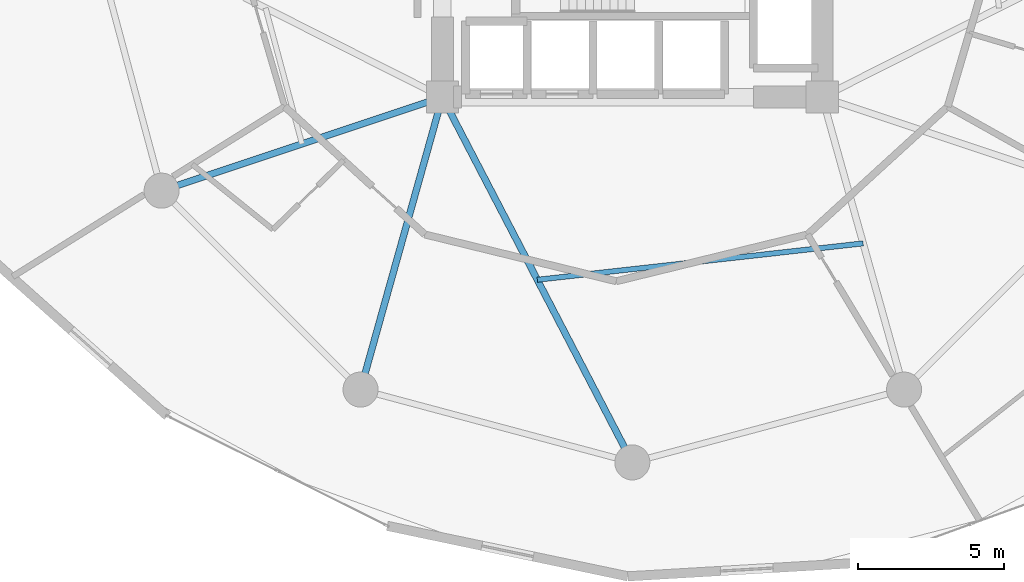
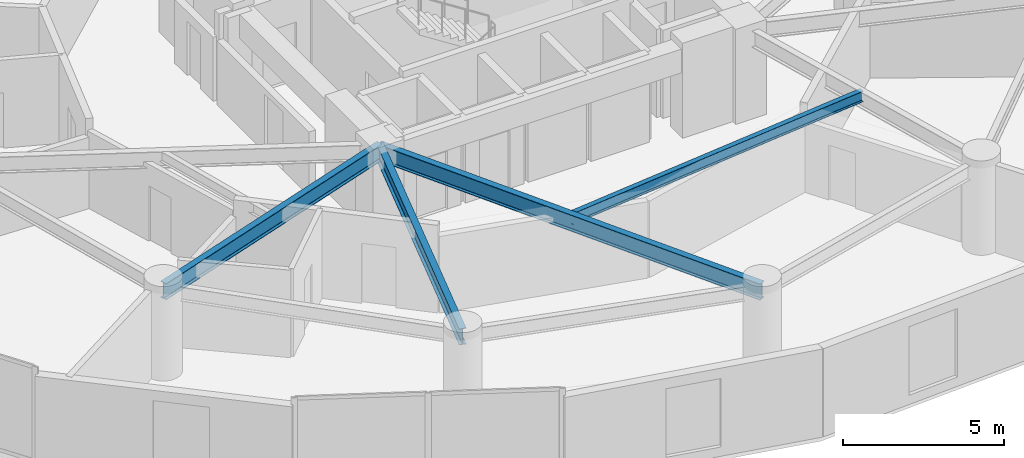
# One storey, part 5 of 26: 4 beams.
"""IFC4 building model written with IfcOpenShell, lengths in metres."""

from ifc_helpers import new_model, si_unit, direction, frame, origin, origin_2d, place, context, subcontext, project, spatial, i_section, extrude, material, material_profile, profile_set, type_object, element, save


model = new_model("IFC4")

# Units and contexts
model_context = context("Model", 3, precision=1e-05, world=origin(), true_north=direction((0.0, 1.0)))
body_context = subcontext(model_context, "Body", "Model", "MODEL_VIEW")
ifc_project = project(units=[si_unit("LENGTHUNIT", "METRE"), si_unit("AREAUNIT", "SQUARE_METRE"), si_unit("VOLUMEUNIT", "CUBIC_METRE"), si_unit("PLANEANGLEUNIT", "RADIAN"), si_unit("MASSUNIT", "GRAM", prefix="KILO")], contexts=[model_context])

# Site, building, storey
site_placement = place(None, origin())
site = spatial("IfcSite", under=ifc_project, at=site_placement, CompositionType="ELEMENT")
building_placement = place(site_placement, origin())
building = spatial("IfcBuilding", under=site, at=building_placement, Name="Solvirekh Grand Hotel", CompositionType="ELEMENT")
storey_placement = place(building_placement, frame((0.0, 0.0, 71.60009765625)))
storey = spatial("IfcBuildingStorey", under=building, at=storey_placement, Name="L17", CompositionType="ELEMENT", Elevation=71.60009765625)

# Beams
ifc_material = material(Name="Steel S355", Category="steel")
ifc_material_profile_1 = material_profile(ifc_material, i_section(OverallWidth=0.22802734375, OverallDepth=0.616943359375, WebThickness=0.012939453125, FlangeThickness=0.02001953125, FilletRadius=0.014892578125, at=origin_2d()), Name="W610X140")
ifc_profile_set_1 = profile_set([ifc_material_profile_1], Name="Steel S355")
beam_type_1 = type_object("IfcBeamType", Name="Beam_Radial_W610", PredefinedType="BEAM", material=ifc_profile_set_1)
beam_1_placement = place(storey_placement, frame((-6.5, -6.10009765625, 3.031982421875), z_axis=(-0.948762825819, -0.315989082635, 0.0), x_axis=(0.315989082635, -0.948762825819, 0.0)))
element("IfcBeam", 1, at=beam_1_placement, inside=storey, type_object=beam_type_1, Name="L17 radial floor beam R08", PredefinedType="BEAM", context=body_context, shape_type="SweptSolid", body=[
    extrude(i_section(OverallWidth=0.22802734375, OverallDepth=0.616943359375, WebThickness=0.012939453125, FlangeThickness=0.02001953125, FilletRadius=0.014892578125, at=origin_2d()), origin(), (0.0, 0.0, 1.0), 10.126708984375),
])
beam_2_placement = place(storey_placement, frame((-6.5, -6.10009765625, 3.031982421875), z_axis=(-0.269439084681, -0.963017434757, 0.0), x_axis=(0.963017434757, -0.269439084681, 0.0)))
element("IfcBeam", 2, at=beam_2_placement, inside=storey, type_object=beam_type_1, Name="L17 radial floor beam R09", PredefinedType="BEAM", context=body_context, shape_type="SweptSolid", body=[
    extrude(i_section(OverallWidth=0.22802734375, OverallDepth=0.616943359375, WebThickness=0.012939453125, FlangeThickness=0.02001953125, FilletRadius=0.014892578125, at=origin_2d()), origin(), (0.0, 0.0, 1.0), 10.39208984375),
])
beam_3_placement = place(storey_placement, frame((-6.5, -6.10009765625, 3.031982421875), z_axis=(0.461352736642, -0.887216801235, 0.0), x_axis=(0.887216801235, 0.461352736642, 0.0)))
element("IfcBeam", 3, at=beam_3_placement, inside=storey, type_object=beam_type_1, Name="L17 radial floor beam R10", PredefinedType="BEAM", context=body_context, shape_type="SweptSolid", body=[
    extrude(i_section(OverallWidth=0.22802734375, OverallDepth=0.616943359375, WebThickness=0.012939453125, FlangeThickness=0.02001953125, FilletRadius=0.014892578125, at=origin_2d()), origin(), (0.0, 0.0, 1.0), 14.089111328125),
])
ifc_material_profile_2 = material_profile(ifc_material, i_section(OverallWidth=0.177978515625, OverallDepth=0.406982421875, WebThickness=0.008056640625, FlangeThickness=0.011962890625, FilletRadius=0.011962890625, at=origin_2d()), Name="W410X60")
ifc_profile_set_2 = profile_set([ifc_material_profile_2], Name="Steel S355")
beam_type_2 = type_object("IfcBeamType", Name="Joist_Floor_W410", PredefinedType="JOIST", material=ifc_profile_set_2)
beam_4_placement = place(storey_placement, frame((-3.25, -12.35009765625, 3.135986328125), z_axis=(0.99381294191, 0.111066810937, 0.0), x_axis=(-0.111066810937, 0.99381294191, 0.0)))
element("IfcBeam", 4, at=beam_4_placement, inside=storey, type_object=beam_type_2, Name="L17 secondary composite floor joist 10", PredefinedType="JOIST", context=body_context, shape_type="SweptSolid", body=[
    extrude(i_section(OverallWidth=0.177978515625, OverallDepth=0.406982421875, WebThickness=0.008056640625, FlangeThickness=0.011962890625, FilletRadius=0.011962890625, at=origin_2d()), origin(), (0.0, 0.0, 1.0), 11.21923828125),
])

save(model, "model.ifc")
